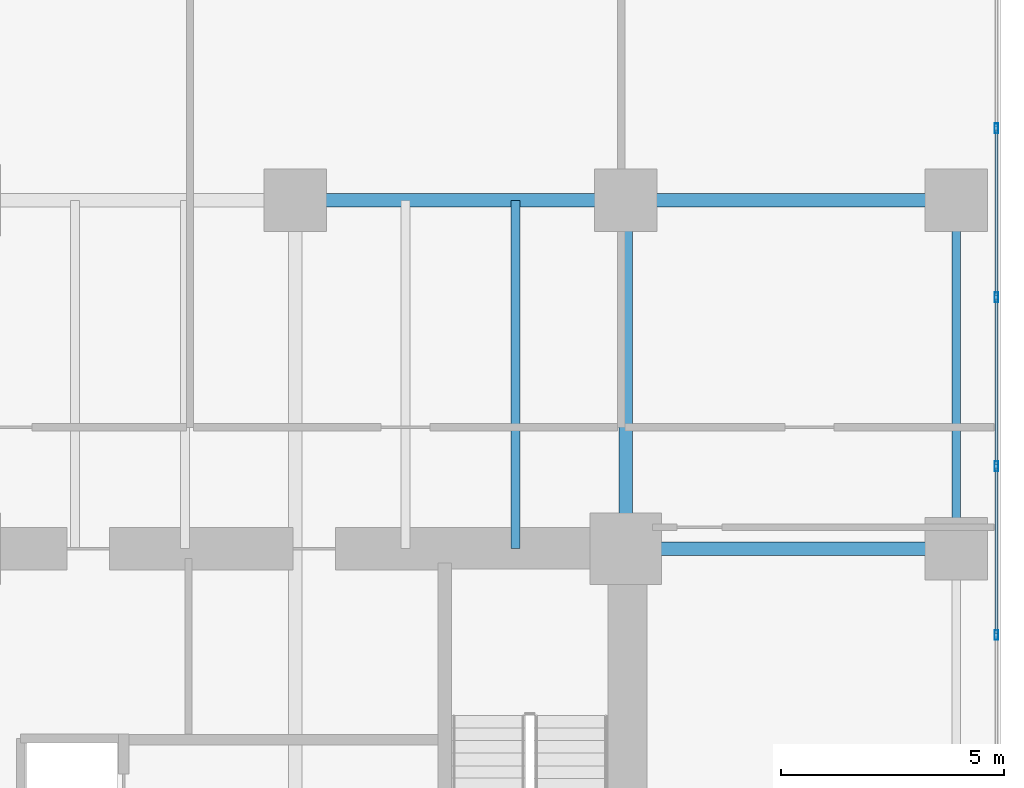
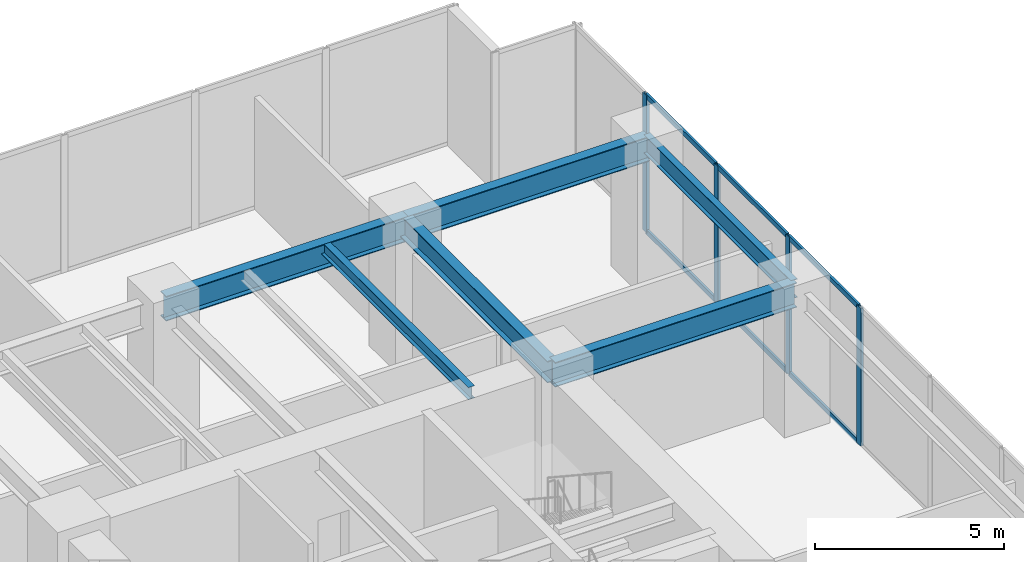
# One storey, part 21 of 32: 10 members, 6 beams, 1 element without a shape of its own.
"""IFC4 building model written with IfcOpenShell, lengths in metres."""

from ifc_helpers import new_model, si_unit, direction, frame, origin, origin_2d, place, context, subcontext, project, spatial, hollow_rectangle, i_section, extrude, source, transform, mapped, material, layer, layer_set, material_profile, profile_set, type_object, type_shapes, element, aggregate, save


model = new_model("IFC4")

# Units and contexts
model_context = context("Model", 3, precision=1e-05, world=origin(), true_north=direction((0.0, 1.0)))
body_context = subcontext(model_context, "Body", "Model", "MODEL_VIEW")
ifc_project = project(units=[si_unit("LENGTHUNIT", "METRE"), si_unit("AREAUNIT", "SQUARE_METRE"), si_unit("VOLUMEUNIT", "CUBIC_METRE"), si_unit("PLANEANGLEUNIT", "RADIAN"), si_unit("MASSUNIT", "GRAM", prefix="KILO")], contexts=[model_context])

# Site, building, storey
site_placement = place(None, origin())
site = spatial("IfcSite", under=ifc_project, at=site_placement, CompositionType="ELEMENT")
building_placement = place(site_placement, origin())
building = spatial("IfcBuilding", under=site, at=building_placement, Name="Haelvirn Gate Laboratories", CompositionType="ELEMENT")
storey_placement = place(building_placement, frame((0.0, 0.0, 5.39990234375)))
storey = spatial("IfcBuildingStorey", under=building, at=storey_placement, Name="L02", CompositionType="ELEMENT", Elevation=5.39990234375)

# Beams
ifc_material_1 = material(Name="Steel SM420", Category="steel")
ifc_material_profile_1 = material_profile(ifc_material_1, i_section(OverallWidth=0.300048828125, OverallDepth=0.800048828125, WebThickness=0.013916015625, FlangeThickness=0.02587890625, at=origin_2d()), Name="H-800x300x14x26")
ifc_profile_set_1 = profile_set([ifc_material_profile_1], Name="Steel SM420")
beam_type_1 = type_object("IfcBeamType", Name="BM-G-800", PredefinedType="BEAM", material=ifc_profile_set_1)
shared_shape_1 = source(origin(), body_context, "Body", "SweptSolid", [
    extrude(i_section(OverallWidth=0.300048828125, OverallDepth=0.800048828125, WebThickness=0.013916015625, FlangeThickness=0.02587890625, at=origin_2d()), origin(), (0.0, 0.0, 1.0), 7.400146484375),
])
for number, where, z_axis, x_axis, name in (
    (1, (67.39990234375, 33.800048828125, 4.050048828125), (1.0, 0.0, 0.0), (0.0, 1.0, 0.0), "L02 Primary Girder Y33.8 (67.4-74.8)"),
    (2, (67.39990234375, 41.60009765625, 4.050048828125), (1.0, 0.0, 0.0), (0.0, 1.0, 0.0), "L02 Primary Girder Y41.6 (67.4-74.8)"),
):
    element("IfcBeam", number, at=place(storey_placement, frame(where, z_axis=z_axis, x_axis=x_axis)), inside=storey, type_object=beam_type_1, Name=name, PredefinedType="BEAM", context=body_context, shape_type="MappedRepresentation", body=[
        mapped(shared_shape_1, transform((0.0, 0.0, 0.0), scale=1.0)),
    ])
shared_shape_2 = source(origin(), body_context, "Body", "SweptSolid", [
    extrude(i_section(OverallWidth=0.300048828125, OverallDepth=0.800048828125, WebThickness=0.013916015625, FlangeThickness=0.02587890625, at=origin_2d()), origin(), (0.0, 0.0, 1.0), 7.39990234375),
])
type_shapes(beam_type_1, [shared_shape_1, shared_shape_2])
beam_1_placement = place(storey_placement, frame((60.0, 41.60009765625, 4.050048828125), z_axis=(1.0, 0.0, 0.0), x_axis=(0.0, 1.0, 0.0)))
element("IfcBeam", 3, at=beam_1_placement, inside=storey, type_object=beam_type_1, Name="L02 Primary Girder Y41.6 (60.0-67.4)", PredefinedType="BEAM", context=body_context, shape_type="MappedRepresentation", body=[
    mapped(shared_shape_2, transform((0.0, 0.0, 0.0), scale=1.0)),
])
ifc_material_2 = material(Name="Steel SM355", Category="steel")
ifc_material_profile_2 = material_profile(ifc_material_2, i_section(OverallWidth=0.199951171875, OverallDepth=0.60009765625, WebThickness=0.010986328125, FlangeThickness=0.01708984375, at=origin_2d()), Name="H-600x200x11x17")
ifc_profile_set_2 = profile_set([ifc_material_profile_2], Name="Steel SM355")
beam_type_2 = type_object("IfcBeamType", Name="BM-SP-600", PredefinedType="SPANDREL", material=ifc_profile_set_2)
shared_shape_3 = source(origin(), body_context, "Body", "SweptSolid", [
    extrude(i_section(OverallWidth=0.199951171875, OverallDepth=0.60009765625, WebThickness=0.010986328125, FlangeThickness=0.01708984375, at=origin_2d()), origin(), (0.0, 0.0, 1.0), 7.800048828125),
])
type_shapes(beam_type_2, [shared_shape_3])
beam_2_placement = place(storey_placement, frame((74.800048828125, 33.800048828125, 4.150146484375), z_axis=(0.0, 1.0, 0.0), x_axis=(-1.0, 0.0, 0.0)))
element("IfcBeam", 4, at=beam_2_placement, inside=storey, type_object=beam_type_2, Name="L02 Perimeter Spandrel X74.8 (33.8-41.6)", PredefinedType="SPANDREL", context=body_context, shape_type="MappedRepresentation", body=[
    mapped(shared_shape_3, transform((0.0, 0.0, 0.0), scale=1.0)),
])
ifc_material_profile_3 = material_profile(ifc_material_2, i_section(OverallWidth=0.199951171875, OverallDepth=0.39990234375, WebThickness=0.008056640625, FlangeThickness=0.012939453125, at=origin_2d()), Name="H-400x200x8x13")
ifc_profile_set_3 = profile_set([ifc_material_profile_3], Name="Steel SM355")
beam_type_3 = type_object("IfcBeamType", Name="BM-J-400", PredefinedType="JOIST", material=ifc_profile_set_3)
shared_shape_4 = source(origin(), body_context, "Body", "SweptSolid", [
    extrude(i_section(OverallWidth=0.199951171875, OverallDepth=0.39990234375, WebThickness=0.008056640625, FlangeThickness=0.012939453125, at=origin_2d()), origin(), (0.0, 0.0, 1.0), 7.800048828125),
])
type_shapes(beam_type_3, [shared_shape_4])
beam_3_placement = place(storey_placement, frame((64.929931640625, 33.800048828125, 4.25), z_axis=(0.0, 1.0, 0.0), x_axis=(-1.0, 0.0, 0.0)))
element("IfcBeam", 5, at=beam_3_placement, inside=storey, type_object=beam_type_3, Name="L02 Composite Lab Joist North X64.93", PredefinedType="JOIST", context=body_context, shape_type="MappedRepresentation", body=[
    mapped(shared_shape_4, transform((0.0, 0.0, 0.0), scale=1.0)),
])
ifc_material_profile_4 = material_profile(ifc_material_2, i_section(OverallWidth=0.300048828125, OverallDepth=0.699951171875, WebThickness=0.012939453125, FlangeThickness=0.02392578125, at=origin_2d()), Name="H-700x300x13x24")
ifc_profile_set_4 = profile_set([ifc_material_profile_4], Name="Steel SM355")
beam_type_4 = type_object("IfcBeamType", Name="BM-G-700", PredefinedType="BEAM", material=ifc_profile_set_4)
shared_shape_5 = source(origin(), body_context, "Body", "SweptSolid", [
    extrude(i_section(OverallWidth=0.300048828125, OverallDepth=0.699951171875, WebThickness=0.012939453125, FlangeThickness=0.02392578125, at=origin_2d()), origin(), (0.0, 0.0, 1.0), 7.800048828125),
])
type_shapes(beam_type_4, [shared_shape_5])
beam_4_placement = place(storey_placement, frame((67.39990234375, 33.800048828125, 4.10009765625), z_axis=(0.0, 1.0, 0.0), x_axis=(-1.0, 0.0, 0.0)))
element("IfcBeam", 6, at=beam_4_placement, inside=storey, type_object=beam_type_4, Name="L02 Frame Girder X67.4 (33.8-41.6)", PredefinedType="BEAM", context=body_context, shape_type="MappedRepresentation", body=[
    mapped(shared_shape_5, transform((0.0, 0.0, 0.0), scale=1.0)),
])

# Curtain wall, members
ifc_material_3 = material(Name="Anodised bronze unitised aluminium & triple low-E glass", Category="aluminium")
ifc_layer = layer(ifc_material_3, 0.18798828125, Name="CW-SYS-1")
ifc_layer_set = layer_set([ifc_layer], Name="Anodised bronze unitised aluminium & triple low-E glass")
curtain_wall_type = type_object("IfcCurtainWallType", Name="CW-SYS-1", PredefinedType="NOTDEFINED", material=ifc_layer_set)
curtain_wall_placement = place(storey_placement, origin())
curtain_wall = element("IfcCurtainWall", 7, at=curtain_wall_placement, inside=storey, type_object=curtain_wall_type, Name="L02 Unitised Curtain Wall CW-L02-P1-E03", PredefinedType="NOTDEFINED")
ifc_material_4 = material(Name="Extruded aluminium 6063-T6 (anodised bronze)", Category="aluminium")
ifc_material_profile_5 = material_profile(ifc_material_4, hollow_rectangle(XDim=0.080078125, YDim=0.219970703125, WallThickness=0.006103515625, at=origin_2d()), Name="CWM-220x80x6")
ifc_profile_set_5 = profile_set([ifc_material_profile_5], Name="Extruded aluminium 6063-T6 (anodised bronze)")
member_type_1 = type_object("IfcMemberType", Name="CWM-T220", PredefinedType="MULLION", material=ifc_profile_set_5)
shared_shape_6 = source(origin(), body_context, "Body", "SweptSolid", [
    extrude(hollow_rectangle(XDim=0.080078125, YDim=0.219970703125, WallThickness=0.006103515625, at=origin_2d()), origin(), (0.0, 0.0, 1.0), 4.4501953125),
])
type_shapes(member_type_1, [shared_shape_6])
member_1_placement = place(storey_placement, frame((75.699951171875, 31.86669921875, 0.0), z_axis=(0.0, 0.0, 1.0), x_axis=(-1.0, 0.0, 0.0)))
member_1 = element("IfcMember", 8, at=member_1_placement, type_object=member_type_1, Name="CW1 mullion 9", PredefinedType="MULLION", context=body_context, shape_type="MappedRepresentation", body=[
    mapped(shared_shape_6, transform((0.0, 0.0, 0.0), scale=1.0)),
])
member_2_placement = place(storey_placement, frame((75.699951171875, 35.64990234375, 0.0), z_axis=(0.0, 0.0, 1.0), x_axis=(-1.0, 0.0, 0.0)))
member_2 = element("IfcMember", 9, at=member_2_placement, type_object=member_type_1, Name="CW1 mullion 10", PredefinedType="MULLION", context=body_context, shape_type="MappedRepresentation", body=[
    mapped(shared_shape_6, transform((0.0, 0.0, 0.0), scale=1.0)),
])
member_3_placement = place(storey_placement, frame((75.699951171875, 39.433349609375, 0.0), z_axis=(0.0, 0.0, 1.0), x_axis=(-1.0, 0.0, 0.0)))
member_3 = element("IfcMember", 10, at=member_3_placement, type_object=member_type_1, Name="CW1 mullion 11", PredefinedType="MULLION", context=body_context, shape_type="MappedRepresentation", body=[
    mapped(shared_shape_6, transform((0.0, 0.0, 0.0), scale=1.0)),
])
member_4_placement = place(storey_placement, frame((75.699951171875, 43.216552734375, 0.0), z_axis=(0.0, 0.0, 1.0), x_axis=(-1.0, 0.0, 0.0)))
member_4 = element("IfcMember", 11, at=member_4_placement, type_object=member_type_1, Name="CW1 mullion 12", PredefinedType="MULLION", context=body_context, shape_type="MappedRepresentation", body=[
    mapped(shared_shape_6, transform((0.0, 0.0, 0.0), scale=1.0)),
])
ifc_material_profile_6 = material_profile(ifc_material_4, hollow_rectangle(XDim=0.070068359375, YDim=0.159912109375, WallThickness=0.0048828125, at=origin_2d()), Name="CWT-160x70x5")
ifc_profile_set_6 = profile_set([ifc_material_profile_6], Name="Extruded aluminium 6063-T6 (anodised bronze)")
member_type_2 = type_object("IfcMemberType", Name="CWT-T160", PredefinedType="USERDEFINED", material=ifc_profile_set_6)
shared_shape_7 = source(origin(), body_context, "Body", "SweptSolid", [
    extrude(hollow_rectangle(XDim=0.070068359375, YDim=0.159912109375, WallThickness=0.0048828125, at=origin_2d()), origin(), (0.0, 0.0, 1.0), 3.703369140625),
])
type_shapes(member_type_2, [shared_shape_7])
member_5_placement = place(storey_placement, frame((75.699951171875, 31.90673828125, 0.03515625), z_axis=(0.0, 1.0, 0.0), x_axis=(-1.0, 0.0, 0.0)))
member_5 = element("IfcMember", 12, at=member_5_placement, type_object=member_type_2, Name="CW1 transom 9.1", ObjectType="TRANSOM", PredefinedType="USERDEFINED", context=body_context, shape_type="MappedRepresentation", body=[
    mapped(shared_shape_7, transform((0.0, 0.0, 0.0), scale=1.0)),
])
member_6_placement = place(storey_placement, frame((75.699951171875, 31.90673828125, 4.4150390625), z_axis=(0.0, 1.0, 0.0), x_axis=(-1.0, 0.0, 0.0)))
member_6 = element("IfcMember", 13, at=member_6_placement, type_object=member_type_2, Name="CW1 transom 9.2", ObjectType="TRANSOM", PredefinedType="USERDEFINED", context=body_context, shape_type="MappedRepresentation", body=[
    mapped(shared_shape_7, transform((0.0, 0.0, 0.0), scale=1.0)),
])
member_7_placement = place(storey_placement, frame((75.699951171875, 35.68994140625, 0.03515625), z_axis=(0.0, 1.0, 0.0), x_axis=(-1.0, 0.0, 0.0)))
member_7 = element("IfcMember", 14, at=member_7_placement, type_object=member_type_2, Name="CW1 transom 10.1", ObjectType="TRANSOM", PredefinedType="USERDEFINED", context=body_context, shape_type="MappedRepresentation", body=[
    mapped(shared_shape_7, transform((0.0, 0.0, 0.0), scale=1.0)),
])
member_8_placement = place(storey_placement, frame((75.699951171875, 35.68994140625, 4.4150390625), z_axis=(0.0, 1.0, 0.0), x_axis=(-1.0, 0.0, 0.0)))
member_8 = element("IfcMember", 15, at=member_8_placement, type_object=member_type_2, Name="CW1 transom 10.2", ObjectType="TRANSOM", PredefinedType="USERDEFINED", context=body_context, shape_type="MappedRepresentation", body=[
    mapped(shared_shape_7, transform((0.0, 0.0, 0.0), scale=1.0)),
])
member_9_placement = place(storey_placement, frame((75.699951171875, 39.473388671875, 0.03515625), z_axis=(0.0, 1.0, 0.0), x_axis=(-1.0, 0.0, 0.0)))
member_9 = element("IfcMember", 16, at=member_9_placement, type_object=member_type_2, Name="CW1 transom 11.1", ObjectType="TRANSOM", PredefinedType="USERDEFINED", context=body_context, shape_type="MappedRepresentation", body=[
    mapped(shared_shape_7, transform((0.0, 0.0, 0.0), scale=1.0)),
])
member_10_placement = place(storey_placement, frame((75.699951171875, 39.473388671875, 4.4150390625), z_axis=(0.0, 1.0, 0.0), x_axis=(-1.0, 0.0, 0.0)))
member_10 = element("IfcMember", 17, at=member_10_placement, type_object=member_type_2, Name="CW1 transom 11.2", ObjectType="TRANSOM", PredefinedType="USERDEFINED", context=body_context, shape_type="MappedRepresentation", body=[
    mapped(shared_shape_7, transform((0.0, 0.0, 0.0), scale=1.0)),
])
aggregate(curtain_wall, [member_1, member_2, member_3, member_4, member_5, member_6, member_7, member_8, member_9, member_10])

save(model, "model.ifc")
